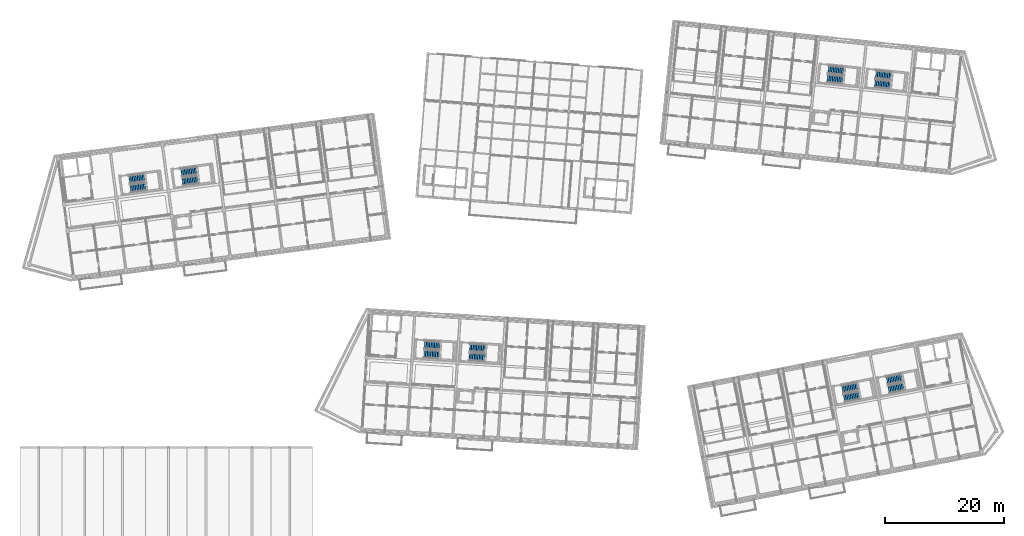
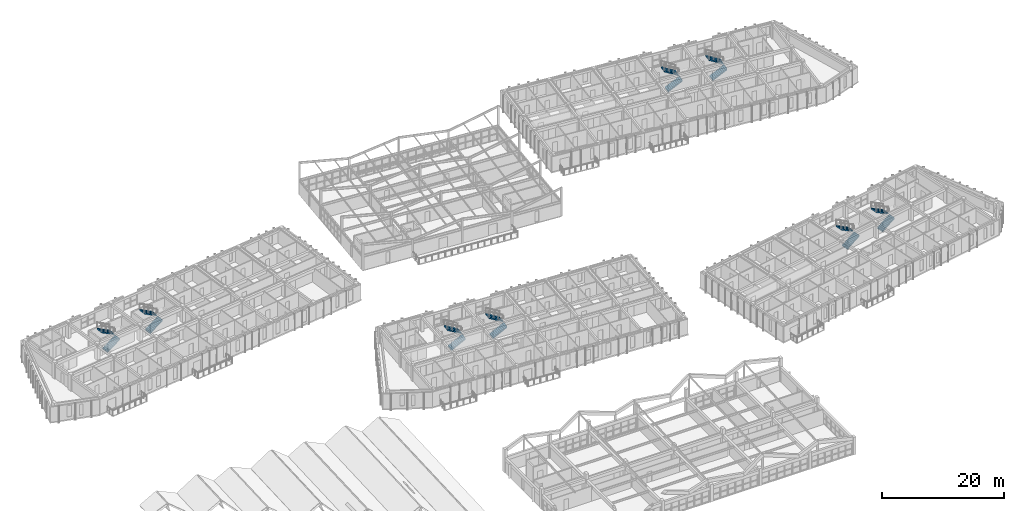
# One storey, part 94 of 127: 16 stair flights, 8 elements without a shape of their own.
"""IFC4 building model written with IfcOpenShell, lengths in metres."""

from ifc_helpers import new_model, si_unit, direction, frame, origin, place, context, subcontext, project, spatial, polyline, outline, extrude, material, type_object, element, aggregate, save


model = new_model("IFC4")

# Units and contexts
model_context = context("Model", 3, precision=1e-05, world=origin(), true_north=direction((0.0, 1.0)))
body_context = subcontext(model_context, "Body", "Model", "MODEL_VIEW")
ifc_project = project(units=[si_unit("LENGTHUNIT", "METRE"), si_unit("AREAUNIT", "SQUARE_METRE"), si_unit("VOLUMEUNIT", "CUBIC_METRE"), si_unit("PLANEANGLEUNIT", "RADIAN"), si_unit("MASSUNIT", "GRAM", prefix="KILO")], contexts=[model_context])

# Site, building, storey
site_placement = place(None, origin())
site = spatial("IfcSite", under=ifc_project, at=site_placement, CompositionType="ELEMENT")
building_placement = place(site_placement, origin())
building = spatial("IfcBuilding", under=site, at=building_placement, Name="Kestramere Prow Commons", CompositionType="ELEMENT")
storey_placement = place(building_placement, frame((0.0, 0.0, 8.39990234375)))
storey = spatial("IfcBuildingStorey", under=building, at=storey_placement, Name="L02", CompositionType="ELEMENT", Elevation=8.39990234375)

# Stair, stair flights
ifc_material = material(Name="Concrete C40/50", Category="concrete")
stair_type = type_object("IfcStairType", Name="ST-DOG-1350", PredefinedType="HALF_TURN_STAIR", material=ifc_material)
stair_1_placement = place(storey_placement, origin())
stair_1 = element("IfcStair", 1, at=stair_1_placement, inside=storey, type_object=stair_type, Name="L02 Block A Exit Stair 1", PredefinedType="HALF_TURN_STAIR")
stair_flight_type = type_object("IfcStairFlightType", Name="SFL-1350", PredefinedType="STRAIGHT", material=ifc_material)
stair_flight_1_placement = place(storey_placement, frame((20.70068359375, 86.79150390625, 0.0), z_axis=(0.0, 0.0, 1.0), x_axis=(0.991444861374, 0.13052619222, 0.0)))
stair_flight_1 = element("IfcStairFlight", 2, at=stair_flight_1_placement, type_object=stair_flight_type, Name="ST-A1 flight 1", NumberOfRisers=10, NumberOfTreads=9, PredefinedType="STRAIGHT", RiserHeight=0.1625, TreadLength=0.28, context=body_context, shape_type="SweptSolid", body=[
    extrude(outline(polyline([(-0.02490234375, 0.0), (0.0, 0.0), (0.0, 0.16259765625), (0.280029296875, 0.16259765625), (0.280029296875, 0.324951171875), (0.56005859375, 0.324951171875), (0.56005859375, 0.487548828125), (0.840087890625, 0.487548828125), (0.840087890625, 0.64990234375), (1.1201171875, 0.64990234375), (1.1201171875, 0.8125), (1.39990234375, 0.8125), (1.39990234375, 0.97509765625), (1.679931640625, 0.97509765625), (1.679931640625, 1.137451171875), (1.9599609375, 1.137451171875), (1.9599609375, 1.300048828125), (2.239990234375, 1.300048828125), (2.239990234375, 1.46240234375), (2.52001953125, 1.46240234375), (2.52001953125, 1.625), (2.544921875, 1.625), (2.544921875, 1.2890625), (0.0, -0.14990234375), (-0.02490234375, -0.14990234375), (-0.02490234375, 0.0)])), frame((0.0, 0.675048828125, 0.0), z_axis=(0.0, -1.0, 0.0), x_axis=(1.0, 0.0, 0.0)), (0.0, 0.0, 1.0), 1.35009765625),
])
stair_flight_2_placement = place(storey_placement, frame((23.003173828125, 88.607666015625, 1.625), z_axis=(0.0, 0.0, 1.0), x_axis=(-0.991444861374, -0.13052619222, 0.0)))
stair_flight_2 = element("IfcStairFlight", 3, at=stair_flight_2_placement, type_object=stair_flight_type, Name="ST-A1 flight 2", NumberOfRisers=10, NumberOfTreads=9, PredefinedType="STRAIGHT", RiserHeight=0.1625, TreadLength=0.28, context=body_context, shape_type="SweptSolid", body=[
    extrude(outline(polyline([(-0.02490234375, 0.0), (0.0, 0.0), (0.0, 0.16259765625), (0.280029296875, 0.16259765625), (0.280029296875, 0.324951171875), (0.56005859375, 0.324951171875), (0.56005859375, 0.487548828125), (0.840087890625, 0.487548828125), (0.840087890625, 0.64990234375), (1.1201171875, 0.64990234375), (1.1201171875, 0.8125), (1.39990234375, 0.8125), (1.39990234375, 0.97509765625), (1.679931640625, 0.97509765625), (1.679931640625, 1.137451171875), (1.9599609375, 1.137451171875), (1.9599609375, 1.300048828125), (2.239990234375, 1.300048828125), (2.239990234375, 1.46240234375), (2.52001953125, 1.46240234375), (2.52001953125, 1.625), (2.544921875, 1.625), (2.544921875, 1.2890625), (0.0, -0.14990234375), (-0.02490234375, -0.14990234375), (-0.02490234375, 0.0)])), frame((0.0, 0.675048828125, 0.0), z_axis=(0.0, -1.0, 0.0), x_axis=(1.0, 0.0, 0.0)), (0.0, 0.0, 1.0), 1.35009765625),
])
aggregate(stair_1, [stair_flight_1, stair_flight_2])

stair_2_placement = place(storey_placement, origin())
stair_2 = element("IfcStair", 4, at=stair_2_placement, inside=storey, type_object=stair_type, Name="L02 Block A Exit Stair 2", PredefinedType="HALF_TURN_STAIR")
stair_flight_3_placement = place(storey_placement, frame((29.42529296875, 87.940185546875, 0.0), z_axis=(0.0, 0.0, 1.0), x_axis=(0.991444861374, 0.13052619222, 0.0)))
stair_flight_3 = element("IfcStairFlight", 5, at=stair_flight_3_placement, type_object=stair_flight_type, Name="ST-A2 flight 1", NumberOfRisers=10, NumberOfTreads=9, PredefinedType="STRAIGHT", RiserHeight=0.1625, TreadLength=0.28, context=body_context, shape_type="SweptSolid", body=[
    extrude(outline(polyline([(-0.02490234375, 0.0), (0.0, 0.0), (0.0, 0.16259765625), (0.280029296875, 0.16259765625), (0.280029296875, 0.324951171875), (0.56005859375, 0.324951171875), (0.56005859375, 0.487548828125), (0.840087890625, 0.487548828125), (0.840087890625, 0.64990234375), (1.1201171875, 0.64990234375), (1.1201171875, 0.8125), (1.39990234375, 0.8125), (1.39990234375, 0.97509765625), (1.679931640625, 0.97509765625), (1.679931640625, 1.137451171875), (1.9599609375, 1.137451171875), (1.9599609375, 1.300048828125), (2.239990234375, 1.300048828125), (2.239990234375, 1.46240234375), (2.52001953125, 1.46240234375), (2.52001953125, 1.625), (2.544921875, 1.625), (2.544921875, 1.2890625), (0.0, -0.14990234375), (-0.02490234375, -0.14990234375), (-0.02490234375, 0.0)])), frame((0.0, 0.675048828125, 0.0), z_axis=(0.0, -1.0, 0.0), x_axis=(1.0, 0.0, 0.0)), (0.0, 0.0, 1.0), 1.35009765625),
])
stair_flight_4_placement = place(storey_placement, frame((31.72802734375, 89.75634765625, 1.625), z_axis=(0.0, 0.0, 1.0), x_axis=(-0.991444861374, -0.13052619222, 0.0)))
stair_flight_4 = element("IfcStairFlight", 6, at=stair_flight_4_placement, type_object=stair_flight_type, Name="ST-A2 flight 2", NumberOfRisers=10, NumberOfTreads=9, PredefinedType="STRAIGHT", RiserHeight=0.1625, TreadLength=0.28, context=body_context, shape_type="SweptSolid", body=[
    extrude(outline(polyline([(-0.02490234375, 0.0), (0.0, 0.0), (0.0, 0.16259765625), (0.280029296875, 0.16259765625), (0.280029296875, 0.324951171875), (0.56005859375, 0.324951171875), (0.56005859375, 0.487548828125), (0.840087890625, 0.487548828125), (0.840087890625, 0.64990234375), (1.1201171875, 0.64990234375), (1.1201171875, 0.8125), (1.39990234375, 0.8125), (1.39990234375, 0.97509765625), (1.679931640625, 0.97509765625), (1.679931640625, 1.137451171875), (1.9599609375, 1.137451171875), (1.9599609375, 1.300048828125), (2.239990234375, 1.300048828125), (2.239990234375, 1.46240234375), (2.52001953125, 1.46240234375), (2.52001953125, 1.625), (2.544921875, 1.625), (2.544921875, 1.2890625), (0.0, -0.14990234375), (-0.02490234375, -0.14990234375), (-0.02490234375, 0.0)])), frame((0.0, 0.675048828125, 0.0), z_axis=(0.0, -1.0, 0.0), x_axis=(1.0, 0.0, 0.0)), (0.0, 0.0, 1.0), 1.35009765625),
])
aggregate(stair_2, [stair_flight_3, stair_flight_4])

stair_3_placement = place(storey_placement, origin())
stair_3 = element("IfcStair", 7, at=stair_3_placement, inside=storey, type_object=stair_type, Name="L02 Block B Exit Stair 1", PredefinedType="HALF_TURN_STAIR")
stair_flight_5_placement = place(storey_placement, frame((137.38916015625, 105.21923828125, 0.0), z_axis=(0.0, 0.0, 1.0), x_axis=(0.994521895368, -0.104528463268, 0.0)))
stair_flight_5 = element("IfcStairFlight", 8, at=stair_flight_5_placement, type_object=stair_flight_type, Name="ST-B1 flight 1", NumberOfRisers=10, NumberOfTreads=9, PredefinedType="STRAIGHT", RiserHeight=0.1625, TreadLength=0.28, context=body_context, shape_type="SweptSolid", body=[
    extrude(outline(polyline([(-0.02490234375, 0.0), (0.0, 0.0), (0.0, 0.16259765625), (0.280029296875, 0.16259765625), (0.280029296875, 0.324951171875), (0.56005859375, 0.324951171875), (0.56005859375, 0.487548828125), (0.840087890625, 0.487548828125), (0.840087890625, 0.64990234375), (1.1201171875, 0.64990234375), (1.1201171875, 0.8125), (1.39990234375, 0.8125), (1.39990234375, 0.97509765625), (1.679931640625, 0.97509765625), (1.679931640625, 1.137451171875), (1.9599609375, 1.137451171875), (1.9599609375, 1.300048828125), (2.239990234375, 1.300048828125), (2.239990234375, 1.46240234375), (2.52001953125, 1.46240234375), (2.52001953125, 1.625), (2.544921875, 1.625), (2.544921875, 1.2890625), (0.0, -0.14990234375), (-0.02490234375, -0.14990234375), (-0.02490234375, 0.0)])), frame((0.0, 0.675048828125, 0.0), z_axis=(0.0, -1.0, 0.0), x_axis=(1.0, 0.0, 0.0)), (0.0, 0.0, 1.0), 1.35009765625),
])
stair_flight_6_placement = place(storey_placement, frame((140.052001953125, 106.447509765625, 1.625), z_axis=(0.0, 0.0, 1.0), x_axis=(-0.994521895368, 0.104528463268, 0.0)))
stair_flight_6 = element("IfcStairFlight", 9, at=stair_flight_6_placement, type_object=stair_flight_type, Name="ST-B1 flight 2", NumberOfRisers=10, NumberOfTreads=9, PredefinedType="STRAIGHT", RiserHeight=0.1625, TreadLength=0.28, context=body_context, shape_type="SweptSolid", body=[
    extrude(outline(polyline([(-0.02490234375, 0.0), (0.0, 0.0), (0.0, 0.16259765625), (0.280029296875, 0.16259765625), (0.280029296875, 0.324951171875), (0.56005859375, 0.324951171875), (0.56005859375, 0.487548828125), (0.840087890625, 0.487548828125), (0.840087890625, 0.64990234375), (1.1201171875, 0.64990234375), (1.1201171875, 0.8125), (1.39990234375, 0.8125), (1.39990234375, 0.97509765625), (1.679931640625, 0.97509765625), (1.679931640625, 1.137451171875), (1.9599609375, 1.137451171875), (1.9599609375, 1.300048828125), (2.239990234375, 1.300048828125), (2.239990234375, 1.46240234375), (2.52001953125, 1.46240234375), (2.52001953125, 1.625), (2.544921875, 1.625), (2.544921875, 1.2890625), (0.0, -0.14990234375), (-0.02490234375, -0.14990234375), (-0.02490234375, 0.0)])), frame((0.0, 0.675048828125, 0.0), z_axis=(0.0, -1.0, 0.0), x_axis=(1.0, 0.0, 0.0)), (0.0, 0.0, 1.0), 1.35009765625),
])
aggregate(stair_3, [stair_flight_5, stair_flight_6])

stair_4_placement = place(storey_placement, origin())
stair_4 = element("IfcStair", 10, at=stair_4_placement, inside=storey, type_object=stair_type, Name="L02 Block B Exit Stair 2", PredefinedType="HALF_TURN_STAIR")
stair_flight_7_placement = place(storey_placement, frame((145.34521484375, 104.3828125, 0.0), z_axis=(0.0, 0.0, 1.0), x_axis=(0.994521895368, -0.104528463268, 0.0)))
stair_flight_7 = element("IfcStairFlight", 11, at=stair_flight_7_placement, type_object=stair_flight_type, Name="ST-B2 flight 1", NumberOfRisers=10, NumberOfTreads=9, PredefinedType="STRAIGHT", RiserHeight=0.1625, TreadLength=0.28, context=body_context, shape_type="SweptSolid", body=[
    extrude(outline(polyline([(-0.02490234375, 0.0), (0.0, 0.0), (0.0, 0.16259765625), (0.280029296875, 0.16259765625), (0.280029296875, 0.324951171875), (0.56005859375, 0.324951171875), (0.56005859375, 0.487548828125), (0.840087890625, 0.487548828125), (0.840087890625, 0.64990234375), (1.1201171875, 0.64990234375), (1.1201171875, 0.8125), (1.39990234375, 0.8125), (1.39990234375, 0.97509765625), (1.679931640625, 0.97509765625), (1.679931640625, 1.137451171875), (1.9599609375, 1.137451171875), (1.9599609375, 1.300048828125), (2.239990234375, 1.300048828125), (2.239990234375, 1.46240234375), (2.52001953125, 1.46240234375), (2.52001953125, 1.625), (2.544921875, 1.625), (2.544921875, 1.2890625), (0.0, -0.14990234375), (-0.02490234375, -0.14990234375), (-0.02490234375, 0.0)])), frame((0.0, 0.675048828125, 0.0), z_axis=(0.0, -1.0, 0.0), x_axis=(1.0, 0.0, 0.0)), (0.0, 0.0, 1.0), 1.35009765625),
])
stair_flight_8_placement = place(storey_placement, frame((148.00830078125, 105.611328125, 1.625), z_axis=(0.0, 0.0, 1.0), x_axis=(-0.994521895368, 0.104528463268, 0.0)))
stair_flight_8 = element("IfcStairFlight", 12, at=stair_flight_8_placement, type_object=stair_flight_type, Name="ST-B2 flight 2", NumberOfRisers=10, NumberOfTreads=9, PredefinedType="STRAIGHT", RiserHeight=0.1625, TreadLength=0.28, context=body_context, shape_type="SweptSolid", body=[
    extrude(outline(polyline([(-0.02490234375, 0.0), (0.0, 0.0), (0.0, 0.16259765625), (0.280029296875, 0.16259765625), (0.280029296875, 0.324951171875), (0.56005859375, 0.324951171875), (0.56005859375, 0.487548828125), (0.840087890625, 0.487548828125), (0.840087890625, 0.64990234375), (1.1201171875, 0.64990234375), (1.1201171875, 0.8125), (1.39990234375, 0.8125), (1.39990234375, 0.97509765625), (1.679931640625, 0.97509765625), (1.679931640625, 1.137451171875), (1.9599609375, 1.137451171875), (1.9599609375, 1.300048828125), (2.239990234375, 1.300048828125), (2.239990234375, 1.46240234375), (2.52001953125, 1.46240234375), (2.52001953125, 1.625), (2.544921875, 1.625), (2.544921875, 1.2890625), (0.0, -0.14990234375), (-0.02490234375, -0.14990234375), (-0.02490234375, 0.0)])), frame((0.0, 0.675048828125, 0.0), z_axis=(0.0, -1.0, 0.0), x_axis=(1.0, 0.0, 0.0)), (0.0, 0.0, 1.0), 1.35009765625),
])
aggregate(stair_4, [stair_flight_7, stair_flight_8])

stair_5_placement = place(storey_placement, origin())
stair_5 = element("IfcStair", 13, at=stair_5_placement, inside=storey, type_object=stair_type, Name="L02 Block C Exit Stair 1", PredefinedType="HALF_TURN_STAIR")
stair_flight_9_placement = place(storey_placement, frame((69.839599609375, 59.117431640625, 0.0), z_axis=(0.0, 0.0, 1.0), x_axis=(0.998134798422, -0.061048539535, 0.0)))
stair_flight_9 = element("IfcStairFlight", 14, at=stair_flight_9_placement, type_object=stair_flight_type, Name="ST-C1 flight 1", NumberOfRisers=10, NumberOfTreads=9, PredefinedType="STRAIGHT", RiserHeight=0.1625, TreadLength=0.28, context=body_context, shape_type="SweptSolid", body=[
    extrude(outline(polyline([(-0.02490234375, 0.0), (0.0, 0.0), (0.0, 0.16259765625), (0.280029296875, 0.16259765625), (0.280029296875, 0.324951171875), (0.56005859375, 0.324951171875), (0.56005859375, 0.487548828125), (0.840087890625, 0.487548828125), (0.840087890625, 0.64990234375), (1.1201171875, 0.64990234375), (1.1201171875, 0.8125), (1.39990234375, 0.8125), (1.39990234375, 0.97509765625), (1.679931640625, 0.97509765625), (1.679931640625, 1.137451171875), (1.9599609375, 1.137451171875), (1.9599609375, 1.300048828125), (2.239990234375, 1.300048828125), (2.239990234375, 1.46240234375), (2.52001953125, 1.46240234375), (2.52001953125, 1.625), (2.544921875, 1.625), (2.544921875, 1.2890625), (0.0, -0.14990234375), (-0.02490234375, -0.14990234375), (-0.02490234375, 0.0)])), frame((0.0, 0.675048828125, 0.0), z_axis=(0.0, -1.0, 0.0), x_axis=(1.0, 0.0, 0.0)), (0.0, 0.0, 1.0), 1.35009765625),
])
stair_flight_10_placement = place(storey_placement, frame((72.446533203125, 60.460693359375, 1.625), z_axis=(0.0, 0.0, 1.0), x_axis=(-0.998134798422, 0.061048539535, 0.0)))
stair_flight_10 = element("IfcStairFlight", 15, at=stair_flight_10_placement, type_object=stair_flight_type, Name="ST-C1 flight 2", NumberOfRisers=10, NumberOfTreads=9, PredefinedType="STRAIGHT", RiserHeight=0.1625, TreadLength=0.28, context=body_context, shape_type="SweptSolid", body=[
    extrude(outline(polyline([(-0.02490234375, 0.0), (0.0, 0.0), (0.0, 0.16259765625), (0.280029296875, 0.16259765625), (0.280029296875, 0.324951171875), (0.56005859375, 0.324951171875), (0.56005859375, 0.487548828125), (0.840087890625, 0.487548828125), (0.840087890625, 0.64990234375), (1.1201171875, 0.64990234375), (1.1201171875, 0.8125), (1.39990234375, 0.8125), (1.39990234375, 0.97509765625), (1.679931640625, 0.97509765625), (1.679931640625, 1.137451171875), (1.9599609375, 1.137451171875), (1.9599609375, 1.300048828125), (2.239990234375, 1.300048828125), (2.239990234375, 1.46240234375), (2.52001953125, 1.46240234375), (2.52001953125, 1.625), (2.544921875, 1.625), (2.544921875, 1.2890625), (0.0, -0.14990234375), (-0.02490234375, -0.14990234375), (-0.02490234375, 0.0)])), frame((0.0, 0.675048828125, 0.0), z_axis=(0.0, -1.0, 0.0), x_axis=(1.0, 0.0, 0.0)), (0.0, 0.0, 1.0), 1.35009765625),
])
aggregate(stair_5, [stair_flight_9, stair_flight_10])

stair_6_placement = place(storey_placement, origin())
stair_6 = element("IfcStair", 16, at=stair_6_placement, inside=storey, type_object=stair_type, Name="L02 Block C Exit Stair 2", PredefinedType="HALF_TURN_STAIR")
stair_flight_11_placement = place(storey_placement, frame((77.42529296875, 58.6533203125, 0.0), z_axis=(0.0, 0.0, 1.0), x_axis=(0.998134798422, -0.061048539535, 0.0)))
stair_flight_11 = element("IfcStairFlight", 17, at=stair_flight_11_placement, type_object=stair_flight_type, Name="ST-C2 flight 1", NumberOfRisers=10, NumberOfTreads=9, PredefinedType="STRAIGHT", RiserHeight=0.1625, TreadLength=0.28, context=body_context, shape_type="SweptSolid", body=[
    extrude(outline(polyline([(-0.02490234375, 0.0), (0.0, 0.0), (0.0, 0.16259765625), (0.280029296875, 0.16259765625), (0.280029296875, 0.324951171875), (0.56005859375, 0.324951171875), (0.56005859375, 0.487548828125), (0.840087890625, 0.487548828125), (0.840087890625, 0.64990234375), (1.1201171875, 0.64990234375), (1.1201171875, 0.8125), (1.39990234375, 0.8125), (1.39990234375, 0.97509765625), (1.679931640625, 0.97509765625), (1.679931640625, 1.137451171875), (1.9599609375, 1.137451171875), (1.9599609375, 1.300048828125), (2.239990234375, 1.300048828125), (2.239990234375, 1.46240234375), (2.52001953125, 1.46240234375), (2.52001953125, 1.625), (2.544921875, 1.625), (2.544921875, 1.2890625), (0.0, -0.14990234375), (-0.02490234375, -0.14990234375), (-0.02490234375, 0.0)])), frame((0.0, 0.675048828125, 0.0), z_axis=(0.0, -1.0, 0.0), x_axis=(1.0, 0.0, 0.0)), (0.0, 0.0, 1.0), 1.35009765625),
])
stair_flight_12_placement = place(storey_placement, frame((80.0322265625, 59.996826171875, 1.625), z_axis=(0.0, 0.0, 1.0), x_axis=(-0.998134798422, 0.061048539535, 0.0)))
stair_flight_12 = element("IfcStairFlight", 18, at=stair_flight_12_placement, type_object=stair_flight_type, Name="ST-C2 flight 2", NumberOfRisers=10, NumberOfTreads=9, PredefinedType="STRAIGHT", RiserHeight=0.1625, TreadLength=0.28, context=body_context, shape_type="SweptSolid", body=[
    extrude(outline(polyline([(-0.02490234375, 0.0), (0.0, 0.0), (0.0, 0.16259765625), (0.280029296875, 0.16259765625), (0.280029296875, 0.324951171875), (0.56005859375, 0.324951171875), (0.56005859375, 0.487548828125), (0.840087890625, 0.487548828125), (0.840087890625, 0.64990234375), (1.1201171875, 0.64990234375), (1.1201171875, 0.8125), (1.39990234375, 0.8125), (1.39990234375, 0.97509765625), (1.679931640625, 0.97509765625), (1.679931640625, 1.137451171875), (1.9599609375, 1.137451171875), (1.9599609375, 1.300048828125), (2.239990234375, 1.300048828125), (2.239990234375, 1.46240234375), (2.52001953125, 1.46240234375), (2.52001953125, 1.625), (2.544921875, 1.625), (2.544921875, 1.2890625), (0.0, -0.14990234375), (-0.02490234375, -0.14990234375), (-0.02490234375, 0.0)])), frame((0.0, 0.675048828125, 0.0), z_axis=(0.0, -1.0, 0.0), x_axis=(1.0, 0.0, 0.0)), (0.0, 0.0, 1.0), 1.35009765625),
])
aggregate(stair_6, [stair_flight_11, stair_flight_12])

stair_7_placement = place(storey_placement, origin())
stair_7 = element("IfcStair", 19, at=stair_7_placement, inside=storey, type_object=stair_type, Name="L02 Block D Exit Stair 1", PredefinedType="HALF_TURN_STAIR")
stair_flight_13_placement = place(storey_placement, frame((140.171875, 51.70458984375, 0.0), z_axis=(0.0, 0.0, 1.0), x_axis=(0.981627183448, 0.190808995377, 0.0)))
stair_flight_13 = element("IfcStairFlight", 20, at=stair_flight_13_placement, type_object=stair_flight_type, Name="ST-D1 flight 1", NumberOfRisers=10, NumberOfTreads=9, PredefinedType="STRAIGHT", RiserHeight=0.1625, TreadLength=0.28, context=body_context, shape_type="SweptSolid", body=[
    extrude(outline(polyline([(-0.02490234375, 0.0), (0.0, 0.0), (0.0, 0.16259765625), (0.280029296875, 0.16259765625), (0.280029296875, 0.324951171875), (0.56005859375, 0.324951171875), (0.56005859375, 0.487548828125), (0.840087890625, 0.487548828125), (0.840087890625, 0.64990234375), (1.1201171875, 0.64990234375), (1.1201171875, 0.8125), (1.39990234375, 0.8125), (1.39990234375, 0.97509765625), (1.679931640625, 0.97509765625), (1.679931640625, 1.137451171875), (1.9599609375, 1.137451171875), (1.9599609375, 1.300048828125), (2.239990234375, 1.300048828125), (2.239990234375, 1.46240234375), (2.52001953125, 1.46240234375), (2.52001953125, 1.625), (2.544921875, 1.625), (2.544921875, 1.2890625), (0.0, -0.14990234375), (-0.02490234375, -0.14990234375), (-0.02490234375, 0.0)])), frame((0.0, 0.675048828125, 0.0), z_axis=(0.0, -1.0, 0.0), x_axis=(1.0, 0.0, 0.0)), (0.0, 0.0, 1.0), 1.35009765625),
])
stair_flight_14_placement = place(storey_placement, frame((142.359375, 53.65771484375, 1.625), z_axis=(0.0, 0.0, 1.0), x_axis=(-0.981627183448, -0.190808995377, 0.0)))
stair_flight_14 = element("IfcStairFlight", 21, at=stair_flight_14_placement, type_object=stair_flight_type, Name="ST-D1 flight 2", NumberOfRisers=10, NumberOfTreads=9, PredefinedType="STRAIGHT", RiserHeight=0.1625, TreadLength=0.28, context=body_context, shape_type="SweptSolid", body=[
    extrude(outline(polyline([(-0.02490234375, 0.0), (0.0, 0.0), (0.0, 0.16259765625), (0.280029296875, 0.16259765625), (0.280029296875, 0.324951171875), (0.56005859375, 0.324951171875), (0.56005859375, 0.487548828125), (0.840087890625, 0.487548828125), (0.840087890625, 0.64990234375), (1.1201171875, 0.64990234375), (1.1201171875, 0.8125), (1.39990234375, 0.8125), (1.39990234375, 0.97509765625), (1.679931640625, 0.97509765625), (1.679931640625, 1.137451171875), (1.9599609375, 1.137451171875), (1.9599609375, 1.300048828125), (2.239990234375, 1.300048828125), (2.239990234375, 1.46240234375), (2.52001953125, 1.46240234375), (2.52001953125, 1.625), (2.544921875, 1.625), (2.544921875, 1.2890625), (0.0, -0.14990234375), (-0.02490234375, -0.14990234375), (-0.02490234375, 0.0)])), frame((0.0, 0.675048828125, 0.0), z_axis=(0.0, -1.0, 0.0), x_axis=(1.0, 0.0, 0.0)), (0.0, 0.0, 1.0), 1.35009765625),
])
aggregate(stair_7, [stair_flight_13, stair_flight_14])

stair_8_placement = place(storey_placement, origin())
stair_8 = element("IfcStair", 22, at=stair_8_placement, inside=storey, type_object=stair_type, Name="L02 Block D Exit Stair 2", PredefinedType="HALF_TURN_STAIR")
stair_flight_15_placement = place(storey_placement, frame((147.632080078125, 53.15478515625, 0.0), z_axis=(0.0, 0.0, 1.0), x_axis=(0.981627183448, 0.190808995377, 0.0)))
stair_flight_15 = element("IfcStairFlight", 23, at=stair_flight_15_placement, type_object=stair_flight_type, Name="ST-D2 flight 1", NumberOfRisers=10, NumberOfTreads=9, PredefinedType="STRAIGHT", RiserHeight=0.1625, TreadLength=0.28, context=body_context, shape_type="SweptSolid", body=[
    extrude(outline(polyline([(-0.02490234375, 0.0), (0.0, 0.0), (0.0, 0.16259765625), (0.280029296875, 0.16259765625), (0.280029296875, 0.324951171875), (0.56005859375, 0.324951171875), (0.56005859375, 0.487548828125), (0.840087890625, 0.487548828125), (0.840087890625, 0.64990234375), (1.1201171875, 0.64990234375), (1.1201171875, 0.8125), (1.39990234375, 0.8125), (1.39990234375, 0.97509765625), (1.679931640625, 0.97509765625), (1.679931640625, 1.137451171875), (1.9599609375, 1.137451171875), (1.9599609375, 1.300048828125), (2.239990234375, 1.300048828125), (2.239990234375, 1.46240234375), (2.52001953125, 1.46240234375), (2.52001953125, 1.625), (2.544921875, 1.625), (2.544921875, 1.2890625), (0.0, -0.14990234375), (-0.02490234375, -0.14990234375), (-0.02490234375, 0.0)])), frame((0.0, 0.675048828125, 0.0), z_axis=(0.0, -1.0, 0.0), x_axis=(1.0, 0.0, 0.0)), (0.0, 0.0, 1.0), 1.35009765625),
])
stair_flight_16_placement = place(storey_placement, frame((149.819580078125, 55.10791015625, 1.625), z_axis=(0.0, 0.0, 1.0), x_axis=(-0.981627183448, -0.190808995377, 0.0)))
stair_flight_16 = element("IfcStairFlight", 24, at=stair_flight_16_placement, type_object=stair_flight_type, Name="ST-D2 flight 2", NumberOfRisers=10, NumberOfTreads=9, PredefinedType="STRAIGHT", RiserHeight=0.1625, TreadLength=0.28, context=body_context, shape_type="SweptSolid", body=[
    extrude(outline(polyline([(-0.02490234375, 0.0), (0.0, 0.0), (0.0, 0.16259765625), (0.280029296875, 0.16259765625), (0.280029296875, 0.324951171875), (0.56005859375, 0.324951171875), (0.56005859375, 0.487548828125), (0.840087890625, 0.487548828125), (0.840087890625, 0.64990234375), (1.1201171875, 0.64990234375), (1.1201171875, 0.8125), (1.39990234375, 0.8125), (1.39990234375, 0.97509765625), (1.679931640625, 0.97509765625), (1.679931640625, 1.137451171875), (1.9599609375, 1.137451171875), (1.9599609375, 1.300048828125), (2.239990234375, 1.300048828125), (2.239990234375, 1.46240234375), (2.52001953125, 1.46240234375), (2.52001953125, 1.625), (2.544921875, 1.625), (2.544921875, 1.2890625), (0.0, -0.14990234375), (-0.02490234375, -0.14990234375), (-0.02490234375, 0.0)])), frame((0.0, 0.675048828125, 0.0), z_axis=(0.0, -1.0, 0.0), x_axis=(1.0, 0.0, 0.0)), (0.0, 0.0, 1.0), 1.35009765625),
])
aggregate(stair_8, [stair_flight_15, stair_flight_16])

save(model, "model.ifc")
